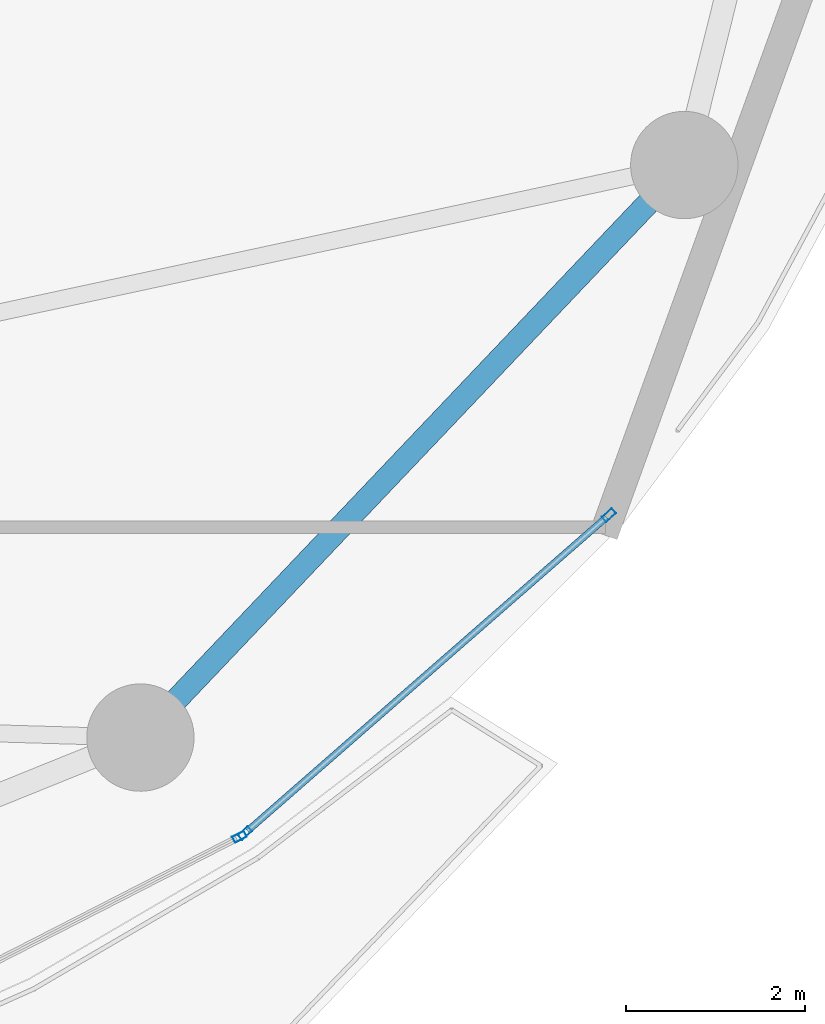
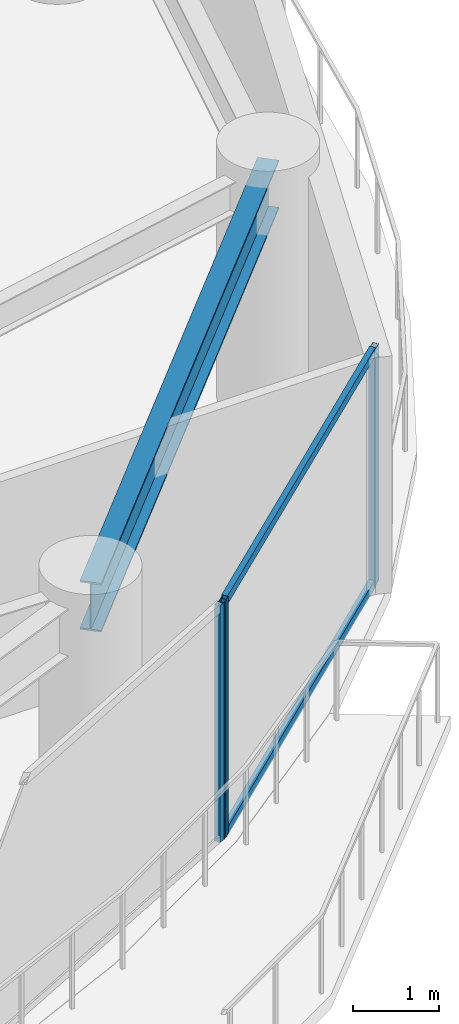
# One storey, part 13 of 28: 5 members, 1 beam, 2 elements without a shape of their own.
"""IFC4 building model written with IfcOpenShell, lengths in metres."""

import ifcopenshell
import ifcopenshell.guid

model = None  # the IFC model being written
_history = None  # IfcOwnerHistory: only IFC2X3 demands one
_inside = {}  # id of a spatial element -> (the spatial element, [elements in it])
_under = {}  # id of a project, library or spatial element -> (it, [spatial elements below it])
_declared = {}  # id of a project -> (the project, [libraries it declares])
_typed = {}  # id of a type object -> (the type object, [elements of that type])
_made_of = {}  # id of a material, layer set ... -> (it, [elements and type objects made of it])


def new_model(schema):
    """Start an empty IFC model of exactly this schema.

    Asked for "IFC4X3", IfcOpenShell would pick the latest addendum, in which some entities
    have other attributes; the version numbers below select the first issue.
    IFC2X3 requires an IfcOwnerHistory on every rooted entity: one is made here for all.
    """
    global model, _history
    if schema == "IFC4X3":
        model = ifcopenshell.file(schema_version=(4, 3, 0, 0))
    else:
        model = ifcopenshell.file(schema=schema)
    _inside.clear()
    _under.clear()
    _declared.clear()
    _typed.clear()
    _made_of.clear()
    _history = None
    if model.schema == "IFC2X3":
        org = make("IfcOrganization", Name="unknown")
        user = make(
            "IfcPersonAndOrganization",
            ThePerson=make("IfcPerson", FamilyName="unknown"),
            TheOrganization=org,
        )
        app = make(
            "IfcApplication",
            ApplicationDeveloper=org,
            Version="unknown",
            ApplicationFullName="unknown",
            ApplicationIdentifier="unknown",
        )
        _history = make(
            "IfcOwnerHistory",
            OwningUser=user,
            OwningApplication=app,
            ChangeAction="ADDED",
            CreationDate=0,
        )
    return model


def make(cls, **values):
    """One entity of the class cls with the attributes given. An attribute that is None is left unset."""
    return model.create_entity(
        cls, **{name: value for name, value in values.items() if value is not None}
    )


def rooted(cls, **values):
    """An entity with a GlobalId (a new one), such as an element, a storey or a relation."""
    return make(cls, GlobalId=ifcopenshell.guid.new(), OwnerHistory=_history, **values)


def si_unit(unit_type, name, prefix=None):
    """IfcSIUnit, for example si_unit("LENGTHUNIT", "METRE", prefix="MILLI")."""
    return make("IfcSIUnit", UnitType=unit_type, Prefix=prefix, Name=name)


def assignment(units):
    """IfcUnitAssignment: the units of a project."""
    return None if units is None else make("IfcUnitAssignment", Units=units)


def point(xyz):
    """IfcCartesianPoint."""
    return None if xyz is None else make("IfcCartesianPoint", Coordinates=xyz)


def direction(xyz):
    """IfcDirection."""
    return None if xyz is None else make("IfcDirection", DirectionRatios=xyz)


def frame(location, z_axis=None, x_axis=None):
    """IfcAxis2Placement3D, a coordinate frame: its origin and axes. An axis left out is left unset."""
    return make(
        "IfcAxis2Placement3D",
        Location=point(location),
        Axis=direction(z_axis),
        RefDirection=direction(x_axis),
    )


def frame_2d(location, x_axis=None):
    """IfcAxis2Placement2D, a coordinate frame in the plane: its origin and x axis."""
    return make(
        "IfcAxis2Placement2D", Location=point(location), RefDirection=direction(x_axis)
    )


def origin():
    """The frame at (0, 0, 0) with its axes left unset."""
    return frame((0.0, 0.0, 0.0))


def origin_2d():
    """The frame at (0, 0) in the plane with its x axis left unset."""
    return frame_2d((0.0, 0.0))


def place(relative_to, where):
    """IfcLocalPlacement: puts the frame where relative to a parent placement (None: the world)."""
    return make(
        "IfcLocalPlacement", PlacementRelTo=relative_to, RelativePlacement=where
    )


def context(
    kind, dimensions, precision=None, world=None, true_north=None, identifier=None
):
    """IfcGeometricRepresentationContext, for example the 3D "Model" context."""
    return make(
        "IfcGeometricRepresentationContext",
        ContextIdentifier=identifier,
        ContextType=kind,
        CoordinateSpaceDimension=dimensions,
        Precision=precision,
        WorldCoordinateSystem=world,
        TrueNorth=true_north,
    )


def subcontext(parent, identifier, kind, view, scale=None):
    """IfcGeometricRepresentationSubContext, for example "Body" below "Model"."""
    return make(
        "IfcGeometricRepresentationSubContext",
        ContextIdentifier=identifier,
        ContextType=kind,
        ParentContext=parent,
        TargetScale=scale,
        TargetView=view,
    )


def project(units=None, contexts=None):
    """IfcProject with its units and contexts."""
    return rooted(
        "IfcProject",
        Name="project",
        RepresentationContexts=contexts,
        UnitsInContext=assignment(units),
    )


def spatial(cls, under=None, at=None, **own):
    """A site, building, storey or space (cls), placed at a placement, below another one or the project."""
    s = rooted(cls, ObjectPlacement=at, **own)
    if under is not None:
        _under.setdefault(under.id(), (under, []))[1].append(s)
    return s


def profile(cls, at=None, kind="AREA", **sizes):
    """A parametric profile (cls). Its sizes go by their IFC names, for example OverallWidth=200.0."""
    return make(cls, ProfileType=kind, Position=at, **sizes)


def hollow_rectangle(**sizes):
    """IfcRectangleHollowProfileDef."""
    return profile("IfcRectangleHollowProfileDef", **sizes)


def i_section(**sizes):
    """IfcIShapeProfileDef."""
    return profile("IfcIShapeProfileDef", **sizes)


def extrude(swept, where, along, depth):
    """IfcExtrudedAreaSolid: the profile swept, set in the frame where, extruded along a direction by depth."""
    return make(
        "IfcExtrudedAreaSolid",
        SweptArea=swept,
        Position=where,
        ExtrudedDirection=direction(along),
        Depth=depth,
    )


def shape(context_of_items, identifier, shape_type, items):
    """IfcShapeRepresentation: the items that make up one representation, for example the "Body"."""
    return make(
        "IfcShapeRepresentation",
        ContextOfItems=context_of_items,
        RepresentationIdentifier=identifier,
        RepresentationType=shape_type,
        Items=items,
    )


def material(Name=None, Category=None):
    """IfcMaterial."""
    return make("IfcMaterial", Name=Name, Category=Category)


def layer(
    of_material, thickness, ventilated=None, Name=None, Category=None, Priority=None
):
    """IfcMaterialLayer: one layer of a wall or slab, of a material (None: an air gap)."""
    return make(
        "IfcMaterialLayer",
        Material=of_material,
        LayerThickness=thickness,
        IsVentilated=ventilated,
        Name=Name,
        Category=Category,
        Priority=Priority,
    )


def layer_set(layers, Name=None):
    """IfcMaterialLayerSet."""
    return make("IfcMaterialLayerSet", MaterialLayers=layers, LayerSetName=Name)


def material_profile(
    of_material, cross_section, Name=None, Category=None, Priority=None
):
    """IfcMaterialProfile: a cross section and its material."""
    return make(
        "IfcMaterialProfile",
        Name=Name,
        Material=of_material,
        Profile=cross_section,
        Priority=Priority,
        Category=Category,
    )


def profile_set(profiles, Name=None, composite=None):
    """IfcMaterialProfileSet."""
    return make(
        "IfcMaterialProfileSet",
        Name=Name,
        MaterialProfiles=profiles,
        CompositeProfile=composite,
    )


def made_of(thing, what):
    """Note that an element or type object is made of a material, layer set ...; save() writes the relation."""
    if what is not None:
        _made_of.setdefault(what.id(), (what, []))[1].append(thing)
    return thing


def type_object(cls, material=None, **own):
    """A type object (cls), such as IfcWallType, which elements share."""
    return made_of(rooted(cls, **own), material)


def element(
    cls,
    number,
    at=None,
    inside=None,
    cuts=None,
    type_object=None,
    material=None,
    context=None,
    identifier="Body",
    shape_type=None,
    held_by="IfcProductDefinitionShape",
    body=None,
    shapes=None,
    **own,
):
    """One element of the class cls, such as IfcWall. Its Tag is "e" and its number.

    at: its placement. inside: the storey or other place that contains it. cuts: it is an
    opening in that element (IfcRelVoidsElement). A single representation is given by context,
    identifier, shape_type and body (its items); several are given by shapes. held_by: the class
    of the entity that holds the representations. save() writes the other relations.
    """
    e = rooted(cls, Tag="e%d" % number, ObjectPlacement=at, **own)
    if body is not None:
        shapes = [shape(context, identifier, shape_type, body)]
    if shapes is not None:
        e.Representation = make(held_by, Representations=shapes)
    if inside is not None:
        _inside.setdefault(inside.id(), (inside, []))[1].append(e)
    if cuts is not None:
        rooted(
            "IfcRelVoidsElement", RelatingBuildingElement=cuts, RelatedOpeningElement=e
        )
    if type_object is not None:
        _typed.setdefault(type_object.id(), (type_object, []))[1].append(e)
    return made_of(e, material)


def aggregate(whole, parts):
    """IfcRelAggregates: a whole, such as a stair, and the parts it consists of."""
    return rooted("IfcRelAggregates", RelatingObject=whole, RelatedObjects=parts)


def save(model, path):
    """Write the relations noted so far, then the file.

    IfcRelAggregates (storeys below a building ...), IfcRelContainedInSpatialStructure (elements
    in a storey), IfcRelDefinesByType, IfcRelAssociatesMaterial and IfcRelDeclares: one each for
    every whole, place, type object, material and project.
    """
    for whole, parts in _under.values():
        aggregate(whole, parts)
    for where, things in _inside.values():
        rooted(
            "IfcRelContainedInSpatialStructure",
            RelatedElements=things,
            RelatingStructure=where,
        )
    for kind, things in _typed.values():
        rooted("IfcRelDefinesByType", RelatedObjects=things, RelatingType=kind)
    for what, things in _made_of.values():
        rooted("IfcRelAssociatesMaterial", RelatedObjects=things, RelatingMaterial=what)
    for by, libraries in _declared.values():
        rooted("IfcRelDeclares", RelatingContext=by, RelatedDefinitions=libraries)
    model.write(path)


model = new_model("IFC4")

# Units and contexts
model_context = context("Model", 3, precision=1e-05, world=origin(), true_north=direction((0.0, 1.0)))
body_context = subcontext(model_context, "Body", "Model", "MODEL_VIEW")
ifc_project = project(units=[si_unit("LENGTHUNIT", "METRE"), si_unit("AREAUNIT", "SQUARE_METRE"), si_unit("VOLUMEUNIT", "CUBIC_METRE"), si_unit("PLANEANGLEUNIT", "RADIAN"), si_unit("MASSUNIT", "GRAM", prefix="KILO")], contexts=[model_context])

# Site, building, storey
site_placement = place(None, origin())
site = spatial("IfcSite", under=ifc_project, at=site_placement, CompositionType="ELEMENT")
building_placement = place(site_placement, origin())
building = spatial("IfcBuilding", under=site, at=building_placement, Name="Kazevale Care Tower and Concert Hall", CompositionType="ELEMENT")
storey_placement = place(building_placement, frame((0.0, 0.0, 135.0)))
storey = spatial("IfcBuildingStorey", under=building, at=storey_placement, Name="L35", CompositionType="ELEMENT", Elevation=135.0)

# Curtain wall, members
ifc_material_1 = material(Name="Aluminium 6063-T6 and Low-E Glass", Category="aluminium")
ifc_layer = layer(ifc_material_1, 0.179931640625)
ifc_layer_set = layer_set([ifc_layer], Name="Aluminium 6063-T6 and Low-E Glass")
curtain_wall_type = type_object("IfcCurtainWallType", Name="Sheltered Concave Balcony Curtain Wall CW-5", PredefinedType="NOTDEFINED", material=ifc_layer_set)
curtain_wall_1_placement = place(storey_placement, origin())
curtain_wall_1 = element("IfcCurtainWall", 1, at=curtain_wall_1_placement, inside=storey, type_object=curtain_wall_type, Name="cw:L35:f02", PredefinedType="NOTDEFINED")
ifc_material_2 = material(Name="Aluminium 6063-T6", Category="aluminium")
ifc_material_profile_1 = material_profile(ifc_material_2, hollow_rectangle(XDim=0.074951171875, YDim=0.14990234375, WallThickness=0.00390625, at=origin_2d()), Name="ALU75x150x4")
ifc_profile_set_1 = profile_set([ifc_material_profile_1], Name="Aluminium 6063-T6")
member_type_1 = type_object("IfcMemberType", Name="CW-5 Mullion ALU75x150x4", PredefinedType="MULLION", material=ifc_profile_set_1)
member_1_placement = place(storey_placement, frame((70.06787109375, 25.477294921875, 0.0), z_axis=(0.0, 0.0, 1.0), x_axis=(0.657948668382, -0.753062779437, 0.0)))
member_1 = element("IfcMember", 2, at=member_1_placement, type_object=member_type_1, Name="CW-5 mullion 1", PredefinedType="MULLION", context=body_context, shape_type="SweptSolid", body=[
    extrude(hollow_rectangle(XDim=0.074951171875, YDim=0.14990234375, WallThickness=0.00390625, at=origin_2d()), origin(), (0.0, 0.0, 1.0), 3.360107421875),
])
member_2_placement = place(storey_placement, frame((65.999267578125, 21.922607421875, 0.0), z_axis=(0.0, 0.0, 1.0), x_axis=(0.657948668382, -0.753062779437, 0.0)))
member_2 = element("IfcMember", 3, at=member_2_placement, type_object=member_type_1, Name="CW-5 mullion 2", PredefinedType="MULLION", context=body_context, shape_type="SweptSolid", body=[
    extrude(hollow_rectangle(XDim=0.074951171875, YDim=0.14990234375, WallThickness=0.00390625, at=origin_2d()), origin(), (0.0, 0.0, 1.0), 3.360107421875),
])

# Curtain wall, member
curtain_wall_2_placement = place(storey_placement, origin())
curtain_wall_2 = element("IfcCurtainWall", 4, at=curtain_wall_2_placement, inside=storey, type_object=curtain_wall_type, Name="cw:L35:f03", PredefinedType="NOTDEFINED")
member_3_placement = place(storey_placement, frame((65.9375, 21.880859375, 0.0), z_axis=(0.0, 0.0, 1.0), x_axis=(0.455713236575, -0.890126646051, 0.0)))
member_3 = element("IfcMember", 5, at=member_3_placement, type_object=member_type_1, Name="CW-5 mullion 1", PredefinedType="MULLION", context=body_context, shape_type="SweptSolid", body=[
    extrude(hollow_rectangle(XDim=0.074951171875, YDim=0.14990234375, WallThickness=0.00390625, at=origin_2d()), origin(), (0.0, 0.0, 1.0), 3.360107421875),
])
aggregate(curtain_wall_2, [member_3])

# Member
ifc_material_profile_2 = material_profile(ifc_material_2, hollow_rectangle(XDim=0.074951171875, YDim=0.1201171875, WallThickness=0.00390625, at=origin_2d()), Name="ALU75x120x4")
ifc_profile_set_2 = profile_set([ifc_material_profile_2], Name="Aluminium 6063-T6")
member_type_2 = type_object("IfcMemberType", Name="CW-5 Transom ALU75x120x4", PredefinedType="USERDEFINED", material=ifc_profile_set_2)
member_4_placement = place(storey_placement, frame((70.03955078125, 25.45263671875, 0.03759765625), z_axis=(-0.753050570644, -0.657962641837, 0.0), x_axis=(0.657962641837, -0.753050570644, 0.0)))
member_4 = element("IfcMember", 6, at=member_4_placement, type_object=member_type_2, Name="CW-5 transom 1.1", ObjectType="TRANSOM", PredefinedType="USERDEFINED", context=body_context, shape_type="SweptSolid", body=[
    extrude(hollow_rectangle(XDim=0.074951171875, YDim=0.1201171875, WallThickness=0.00390625, at=origin_2d()), origin(), (0.0, 0.0, 1.0), 5.32763671875),
])

member_5_placement = place(storey_placement, frame((70.03955078125, 25.45263671875, 3.322509765625), z_axis=(-0.753050570644, -0.657962641837, 0.0), x_axis=(0.657962641837, -0.753050570644, 0.0)))
member_5 = element("IfcMember", 7, at=member_5_placement, type_object=member_type_2, Name="CW-5 transom 1.2", ObjectType="TRANSOM", PredefinedType="USERDEFINED", context=body_context, shape_type="SweptSolid", body=[
    extrude(hollow_rectangle(XDim=0.074951171875, YDim=0.1201171875, WallThickness=0.00390625, at=origin_2d()), origin(), (0.0, 0.0, 1.0), 5.32763671875),
])

aggregate(curtain_wall_1, [member_1, member_2, member_4, member_5])

# Beam
ifc_material_3 = material(Name="Steel ASTM A572 Gr 50", Category="steel")
ifc_material_profile_3 = material_profile(ifc_material_3, i_section(OverallWidth=0.256103515625, OverallDepth=0.693115234375, WebThickness=0.014404296875, FlangeThickness=0.023681640625, at=origin_2d()), Name="W690x170")
ifc_profile_set_3 = profile_set([ifc_material_profile_3], Name="Steel ASTM A572 Gr 50")
beam_type = type_object("IfcBeamType", Name="Waist Ring Beam W690x170", PredefinedType="BEAM", material=ifc_profile_set_3)
beam_placement = place(storey_placement, frame((64.830078125, 22.989990234375, 3.013427734375), z_axis=(0.688745100728, 0.725003576697, 0.0), x_axis=(-0.725003576697, 0.688745100728, 0.0)))
element("IfcBeam", 8, at=beam_placement, inside=storey, type_object=beam_type, Name="beam:L35:ring:15", PredefinedType="BEAM", context=body_context, shape_type="SweptSolid", body=[
    extrude(i_section(OverallWidth=0.256103515625, OverallDepth=0.693115234375, WebThickness=0.014404296875, FlangeThickness=0.023681640625, at=origin_2d()), origin(), (0.0, 0.0, 1.0), 8.827392578125),
])

save(model, "model.ifc")
